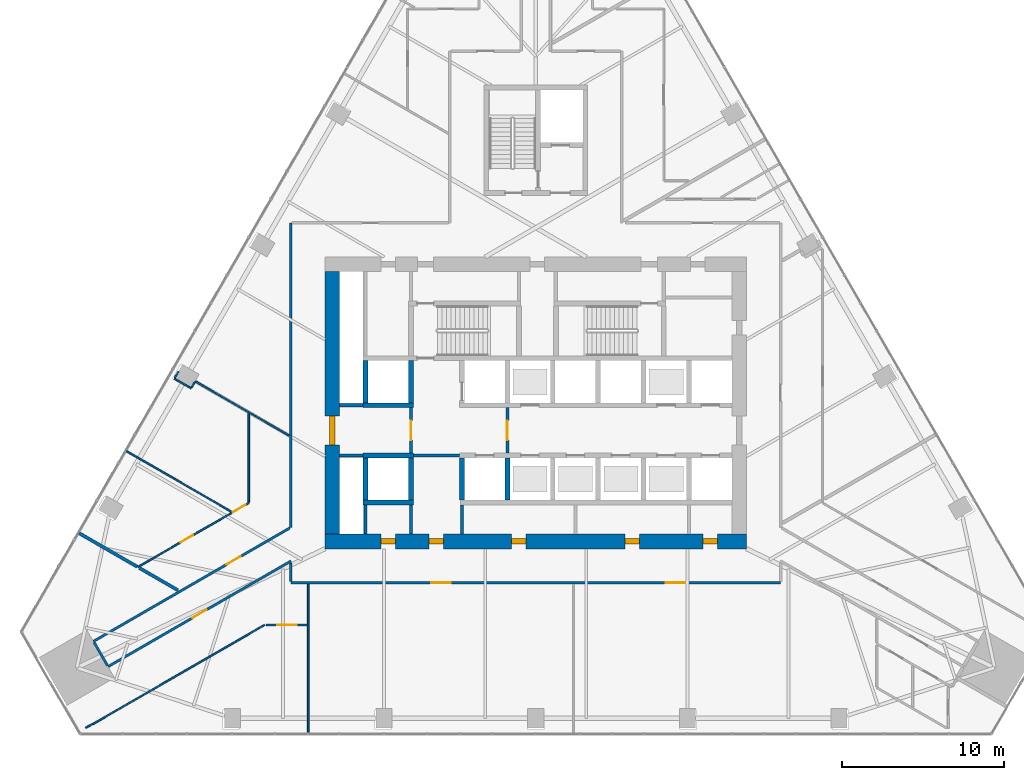
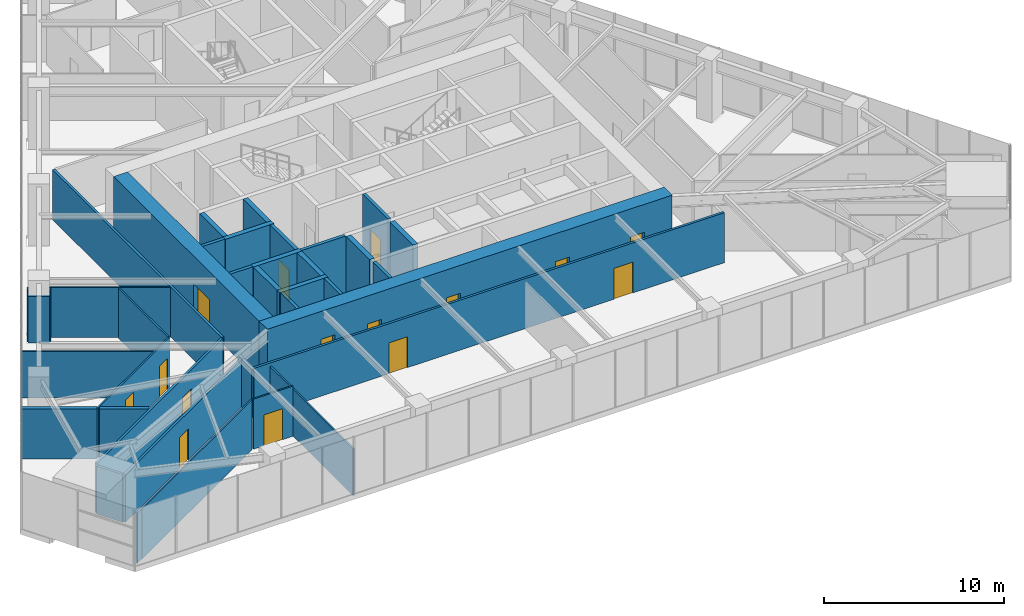
# One storey, part 13 of 19: 38 walls, 15 doors, 15 openings.
"""IFC4 building model written with IfcOpenShell, lengths in metres."""

from ifc_helpers import new_model, si_unit, direction, frame, frame_2d, origin, place, context, subcontext, project, spatial, rectangle, extrude, material, layer, layer_set, type_object, element, fill, save


model = new_model("IFC4")

# Units and contexts
model_context = context("Model", 3, precision=1e-05, world=origin(), true_north=direction((0.0, 1.0)))
body_context = subcontext(model_context, "Body", "Model", "MODEL_VIEW")
ifc_project = project(units=[si_unit("LENGTHUNIT", "METRE"), si_unit("AREAUNIT", "SQUARE_METRE"), si_unit("VOLUMEUNIT", "CUBIC_METRE"), si_unit("PLANEANGLEUNIT", "RADIAN"), si_unit("MASSUNIT", "GRAM", prefix="KILO")], contexts=[model_context])

# Site, building, storey
site_placement = place(None, origin())
site = spatial("IfcSite", under=ifc_project, at=site_placement, CompositionType="ELEMENT")
building_placement = place(site_placement, origin())
building = spatial("IfcBuilding", under=site, at=building_placement, Name="Firuza Gate Tower and Library", CompositionType="ELEMENT")
storey_placement = place(building_placement, frame((0.0, 0.0, 103.0)))
storey = spatial("IfcBuildingStorey", under=building, at=storey_placement, Name="L23", CompositionType="ELEMENT", Elevation=103.0)

# Walls
ifc_material_1 = material(Name="Plasterboard on steel studs", Category="steel")
ifc_layer_1 = layer(ifc_material_1, 0.199951171875)
ifc_layer_set_1 = layer_set([ifc_layer_1], Name="Core partition 200 EI 120")
wall_type_1 = type_object("IfcWallType", Name="Core partition 200 EI 120", PredefinedType="PARTITIONING", material=ifc_layer_set_1)
wall_1_placement = place(storey_placement, frame((62.89990234375, 71.75, 0.0), z_axis=(0.0, 0.0, 1.0), x_axis=(1.0, 0.0, 0.0)))
element("IfcWall", 1, at=wall_1_placement, inside=storey, type_object=wall_type_1, Name="Core partition L23 1", PredefinedType="PARTITIONING", context=body_context, shape_type="SweptSolid", body=[
    extrude(rectangle(XDim=1.4501953125, YDim=0.199951171875, at=frame_2d((0.72509765625, 0.0))), origin(), (0.0, 0.0, 1.0), 4.0),
])
wall_2_placement = place(storey_placement, frame((67.449951171875, 71.75, 0.0), z_axis=(0.0, 0.0, 1.0), x_axis=(1.0, 0.0, 0.0)))
element("IfcWall", 2, at=wall_2_placement, inside=storey, type_object=wall_type_1, Name="Core partition L23 2", PredefinedType="PARTITIONING", context=body_context, shape_type="SweptSolid", body=[
    extrude(rectangle(XDim=2.85009765625, YDim=0.199951171875, at=frame_2d((1.425048828125, 0.0))), origin(), (0.0, 0.0, 1.0), 4.0),
])
wall_3_placement = place(storey_placement, frame((62.89990234375, 74.85009765625, 0.0), z_axis=(0.0, 0.0, 1.0), x_axis=(1.0, 0.0, 0.0)))
element("IfcWall", 3, at=wall_3_placement, inside=storey, type_object=wall_type_1, Name="Core partition L23 3", PredefinedType="PARTITIONING", context=body_context, shape_type="SweptSolid", body=[
    extrude(rectangle(XDim=1.4501953125, YDim=0.199951171875, at=frame_2d((0.72509765625, 0.0))), origin(), (0.0, 0.0, 1.0), 4.0),
])
for number, where, z_axis, x_axis, name in (
    (4, (64.5, 66.89990234375, 0.0), (0.0, 0.0, 1.0), (0.0, 1.0, 0.0), "Core partition L23 5"),
    (5, (67.300048828125, 66.89990234375, 0.0), (0.0, 0.0, 1.0), (0.0, 1.0, 0.0), "Core partition L23 7"),
    (6, (70.449951171875, 66.89990234375, 0.0), (0.0, 0.0, 1.0), (0.0, 1.0, 0.0), "Core partition L23 10"),
):
    element("IfcWall", number, at=place(storey_placement, frame(where, z_axis=z_axis, x_axis=x_axis)), inside=storey, type_object=wall_type_1, Name=name, PredefinedType="PARTITIONING", context=body_context, shape_type="SweptSolid", body=[
        extrude(rectangle(XDim=1.800048828125, YDim=0.199951171875, at=frame_2d((0.89990234375, 0.0))), origin(), (0.0, 0.0, 1.0), 4.0),
    ])

# Wall, opening, door
ifc_material_2 = material(Name="Plasterboard on steel studs", Category="steel")
ifc_layer_2 = layer(ifc_material_2, 0.199951171875)
ifc_layer_set_2 = layer_set([ifc_layer_2], Name="Core partition 200 EI 60")
wall_type_2 = type_object("IfcWallType", Name="Core partition 200 EI 60", PredefinedType="PARTITIONING", material=ifc_layer_set_2)
wall_4_placement = place(storey_placement, frame((67.300048828125, 71.89990234375, 0.0), z_axis=(0.0, 0.0, 1.0), x_axis=(0.0, 1.0, 0.0)))
wall_4 = element("IfcWall", 7, at=wall_4_placement, inside=storey, type_object=wall_type_2, Name="Core partition L23 8", PredefinedType="PARTITIONING", context=body_context, shape_type="SweptSolid", body=[
    extrude(rectangle(XDim=2.800048828125, YDim=0.199951171875, at=frame_2d((1.39990234375, 0.0))), origin(), (0.0, 0.0, 1.0), 4.0),
])
opening_1_placement = place(wall_4_placement, frame((0.800048828125, 0.0, 0.0)))
opening_1 = element("IfcOpeningElement", 8, at=opening_1_placement, cuts=wall_4, Name="Opening L23-K21", PredefinedType="OPENING", context=body_context, shape_type="SweptSolid", body=[
    extrude(rectangle(XDim=1.199951171875, YDim=2.10009765625, at=frame_2d((0.60009765625, 1.050048828125))), frame((0.0, 0.10986328125, 0.0), z_axis=(0.0, -1.0, 0.0), x_axis=(1.0, 0.0, 0.0)), (0.0, 0.0, 1.0), 0.219970703125),
])
ifc_material_3 = material(Name="Steel", Category="steel")
door_type_1 = type_object("IfcDoorType", Name="Fire door 1200x2100 FD90S", OperationType="NOTDEFINED", PredefinedType="DOOR", material=ifc_material_3)
door_1_placement = place(opening_1_placement, origin())
door_1 = element("IfcDoor", 9, at=door_1_placement, inside=storey, type_object=door_type_1, Name="Door L23-K21", OperationType="SINGLE_SWING_RIGHT", OverallHeight=2.10009765625, OverallWidth=1.199951171875, PredefinedType="DOOR", context=body_context, shape_type="SweptSolid", body=[
    extrude(rectangle(XDim=1.199951171875, YDim=2.10009765625, at=frame_2d((0.60009765625, 1.050048828125))), frame((0.0, 0.02490234375, 0.0), z_axis=(0.0, -1.0, 0.0), x_axis=(1.0, 0.0, 0.0)), (0.0, 0.0, 1.0), 0.050048828125),
])
fill(opening_1, door_1)

wall_5_placement = place(storey_placement, frame((73.25, 71.89990234375, 0.0), z_axis=(0.0, 0.0, 1.0), x_axis=(0.0, 1.0, 0.0)))
wall_5 = element("IfcWall", 10, at=wall_5_placement, inside=storey, type_object=wall_type_2, Name="Core partition L23 11", PredefinedType="PARTITIONING", context=body_context, shape_type="SweptSolid", body=[
    extrude(rectangle(XDim=2.800048828125, YDim=0.199951171875, at=frame_2d((1.39990234375, 0.0))), origin(), (0.0, 0.0, 1.0), 4.0),
])
opening_2_placement = place(wall_5_placement, frame((0.800048828125, 0.0, 0.0)))
opening_2 = element("IfcOpeningElement", 11, at=opening_2_placement, cuts=wall_5, Name="Opening L23-K20", PredefinedType="OPENING", context=body_context, shape_type="SweptSolid", body=[
    extrude(rectangle(XDim=1.199951171875, YDim=2.10009765625, at=frame_2d((0.60009765625, 1.050048828125))), frame((0.0, 0.10986328125, 0.0), z_axis=(0.0, -1.0, 0.0), x_axis=(1.0, 0.0, 0.0)), (0.0, 0.0, 1.0), 0.219970703125),
])
door_2_placement = place(opening_2_placement, origin())
door_2 = element("IfcDoor", 12, at=door_2_placement, inside=storey, type_object=door_type_1, Name="Door L23-K20", OperationType="SINGLE_SWING_LEFT", OverallHeight=2.10009765625, OverallWidth=1.199951171875, PredefinedType="DOOR", context=body_context, shape_type="SweptSolid", body=[
    extrude(rectangle(XDim=1.199951171875, YDim=2.10009765625, at=frame_2d((0.60009765625, 1.050048828125))), frame((0.0, 0.02490234375, 0.0), z_axis=(0.0, -1.0, 0.0), x_axis=(1.0, 0.0, 0.0)), (0.0, 0.0, 1.0), 0.050048828125),
])
fill(opening_2, door_2)

# Walls
ifc_material_4 = material(Name="Concrete C80/95", Category="concrete")
ifc_layer_3 = layer(ifc_material_4, 0.300048828125)
ifc_layer_set_3 = layer_set([ifc_layer_3], Name="Core wall 300 C80/95")
wall_type_3 = type_object("IfcWallType", Name="Core wall 300 C80/95", PredefinedType="SHEAR", material=ifc_layer_set_3)
for number, where, z_axis, x_axis, name in (
    (13, (64.35009765625, 68.85009765625, 0.0), (0.0, 0.0, 1.0), (1.0, 0.0, 0.0), "Core wall L23 5"),
    (14, (64.35009765625, 71.75, 0.0), (0.0, 0.0, 1.0), (1.0, 0.0, 0.0), "Core wall L23 7"),
    (15, (64.35009765625, 74.85009765625, 0.0), (0.0, 0.0, 1.0), (1.0, 0.0, 0.0), "Core wall L23 9"),
):
    element("IfcWall", number, at=place(storey_placement, frame(where, z_axis=z_axis, x_axis=x_axis)), inside=storey, type_object=wall_type_3, Name=name, PredefinedType="SHEAR", context=body_context, shape_type="SweptSolid", body=[
        extrude(rectangle(XDim=3.099853515625, YDim=0.300048828125, at=frame_2d((1.5498046875, 0.0))), origin(), (0.0, 0.0, 1.0), 4.0),
    ])
for number, where, z_axis, x_axis, name in (
    (16, (64.5, 69.0, 0.0), (0.0, 0.0, 1.0), (0.0, 1.0, 0.0), "Core wall L23 11"),
    (17, (64.5, 75.0, 0.0), (0.0, 0.0, 1.0), (0.0, 1.0, 0.0), "Core wall L23 12"),
    (18, (67.300048828125, 69.0, 0.0), (0.0, 0.0, 1.0), (0.0, 1.0, 0.0), "Core wall L23 13"),
    (19, (67.300048828125, 75.0, 0.0), (0.0, 0.0, 1.0), (0.0, 1.0, 0.0), "Core wall L23 14"),
    (20, (70.449951171875, 69.0, 0.0), (0.0, 0.0, 1.0), (0.0, 1.0, 0.0), "Core wall L23 15"),
    (21, (73.25, 69.0, 0.0), (0.0, 0.0, 1.0), (0.0, 1.0, 0.0), "Core wall L23 17"),
):
    element("IfcWall", number, at=place(storey_placement, frame(where, z_axis=z_axis, x_axis=x_axis)), inside=storey, type_object=wall_type_3, Name=name, PredefinedType="SHEAR", context=body_context, shape_type="SweptSolid", body=[
        extrude(rectangle(XDim=2.60009765625, YDim=0.300048828125, at=frame_2d((1.300048828125, 0.0))), origin(), (0.0, 0.0, 1.0), 4.0),
    ])

# Wall, openings, doors
ifc_material_5 = material(Name="Concrete C80/95", Category="concrete")
ifc_layer_4 = layer(ifc_material_5, 0.89990234375)
ifc_layer_set_4 = layer_set([ifc_layer_4], Name="Core wall 900 C80/95")
wall_type_4 = type_object("IfcWallType", Name="Core wall 900 C80/95", PredefinedType="SHEAR", material=ifc_layer_set_4)
wall_6_placement = place(storey_placement, frame((62.0, 66.449951171875, 0.0), z_axis=(0.0, 0.0, 1.0), x_axis=(1.0, 0.0, 0.0)))
wall_6 = element("IfcWall", 22, at=wall_6_placement, inside=storey, type_object=wall_type_4, Name="Core wall L23 1", PredefinedType="SHEAR", context=body_context, shape_type="SweptSolid", body=[
    extrude(rectangle(XDim=26.0, YDim=0.89990234375, at=frame_2d((13.0, 0.0))), origin(), (0.0, 0.0, 1.0), 4.0),
])
opening_3_placement = place(wall_6_placement, frame((3.449951171875, 0.0, 0.0)))
opening_3 = element("IfcOpeningElement", 23, at=opening_3_placement, cuts=wall_6, Name="Opening L23-K24", PredefinedType="OPENING", context=body_context, shape_type="SweptSolid", body=[
    extrude(rectangle(XDim=0.89990234375, YDim=2.10009765625, at=frame_2d((0.449951171875, 1.050048828125))), frame((0.0, 0.4599609375, 0.0), z_axis=(0.0, -1.0, 0.0), x_axis=(1.0, 0.0, 0.0)), (0.0, 0.0, 1.0), 0.919921875),
])
opening_4_placement = place(wall_6_placement, frame((6.425048828125, 0.0, 0.0)))
opening_4 = element("IfcOpeningElement", 24, at=opening_4_placement, cuts=wall_6, Name="Opening L23-K25", PredefinedType="OPENING", context=body_context, shape_type="SweptSolid", body=[
    extrude(rectangle(XDim=0.89990234375, YDim=2.10009765625, at=frame_2d((0.449951171875, 1.050048828125))), frame((0.0, 0.4599609375, 0.0), z_axis=(0.0, -1.0, 0.0), x_axis=(1.0, 0.0, 0.0)), (0.0, 0.0, 1.0), 0.919921875),
])
opening_5_placement = place(wall_6_placement, frame((11.5, 0.0, 0.0)))
opening_5 = element("IfcOpeningElement", 25, at=opening_5_placement, cuts=wall_6, Name="Opening L23-K26", PredefinedType="OPENING", context=body_context, shape_type="SweptSolid", body=[
    extrude(rectangle(XDim=0.89990234375, YDim=2.10009765625, at=frame_2d((0.449951171875, 1.050048828125))), frame((0.0, 0.4599609375, 0.0), z_axis=(0.0, -1.0, 0.0), x_axis=(1.0, 0.0, 0.0)), (0.0, 0.0, 1.0), 0.919921875),
])
opening_6_placement = place(wall_6_placement, frame((18.5, 0.0, 0.0)))
opening_6 = element("IfcOpeningElement", 26, at=opening_6_placement, cuts=wall_6, Name="Opening L23-K27", PredefinedType="OPENING", context=body_context, shape_type="SweptSolid", body=[
    extrude(rectangle(XDim=0.89990234375, YDim=2.10009765625, at=frame_2d((0.449951171875, 1.050048828125))), frame((0.0, 0.4599609375, 0.0), z_axis=(0.0, -1.0, 0.0), x_axis=(1.0, 0.0, 0.0)), (0.0, 0.0, 1.0), 0.919921875),
])
opening_7_placement = place(wall_6_placement, frame((23.324951171875, 0.0, 0.0)))
opening_7 = element("IfcOpeningElement", 27, at=opening_7_placement, cuts=wall_6, Name="Opening L23-K28", PredefinedType="OPENING", context=body_context, shape_type="SweptSolid", body=[
    extrude(rectangle(XDim=0.89990234375, YDim=2.10009765625, at=frame_2d((0.449951171875, 1.050048828125))), frame((0.0, 0.4599609375, 0.0), z_axis=(0.0, -1.0, 0.0), x_axis=(1.0, 0.0, 0.0)), (0.0, 0.0, 1.0), 0.919921875),
])
ifc_material_6 = material(Name="Steel", Category="steel")
door_type_2 = type_object("IfcDoorType", Name="Fire door 900x2100 FD30S", OperationType="NOTDEFINED", PredefinedType="DOOR", material=ifc_material_6)
door_3_placement = place(opening_3_placement, origin())
door_3 = element("IfcDoor", 28, at=door_3_placement, inside=storey, type_object=door_type_2, Name="Door L23-K24", OperationType="SINGLE_SWING_LEFT", OverallHeight=2.10009765625, OverallWidth=0.89990234375, PredefinedType="DOOR", context=body_context, shape_type="SweptSolid", body=[
    extrude(rectangle(XDim=0.89990234375, YDim=2.10009765625, at=frame_2d((0.449951171875, 1.050048828125))), frame((0.0, 0.169921875, 0.0), z_axis=(0.0, -1.0, 0.0), x_axis=(1.0, 0.0, 0.0)), (0.0, 0.0, 1.0), 0.33984375),
])
fill(opening_3, door_3)
door_4_placement = place(opening_4_placement, origin())
door_4 = element("IfcDoor", 29, at=door_4_placement, inside=storey, type_object=door_type_2, Name="Door L23-K25", OperationType="SINGLE_SWING_RIGHT", OverallHeight=2.10009765625, OverallWidth=0.89990234375, PredefinedType="DOOR", context=body_context, shape_type="SweptSolid", body=[
    extrude(rectangle(XDim=0.89990234375, YDim=2.10009765625, at=frame_2d((0.449951171875, 1.050048828125))), frame((0.0, 0.169921875, 0.0), z_axis=(0.0, -1.0, 0.0), x_axis=(1.0, 0.0, 0.0)), (0.0, 0.0, 1.0), 0.33984375),
])
fill(opening_4, door_4)
door_5_placement = place(opening_5_placement, origin())
door_5 = element("IfcDoor", 30, at=door_5_placement, inside=storey, type_object=door_type_2, Name="Door L23-K26", OperationType="SINGLE_SWING_LEFT", OverallHeight=2.10009765625, OverallWidth=0.89990234375, PredefinedType="DOOR", context=body_context, shape_type="SweptSolid", body=[
    extrude(rectangle(XDim=0.89990234375, YDim=2.10009765625, at=frame_2d((0.449951171875, 1.050048828125))), frame((0.0, 0.169921875, 0.0), z_axis=(0.0, -1.0, 0.0), x_axis=(1.0, 0.0, 0.0)), (0.0, 0.0, 1.0), 0.33984375),
])
fill(opening_5, door_5)
door_6_placement = place(opening_6_placement, origin())
door_6 = element("IfcDoor", 31, at=door_6_placement, inside=storey, type_object=door_type_2, Name="Door L23-K27", OperationType="SINGLE_SWING_RIGHT", OverallHeight=2.10009765625, OverallWidth=0.89990234375, PredefinedType="DOOR", context=body_context, shape_type="SweptSolid", body=[
    extrude(rectangle(XDim=0.89990234375, YDim=2.10009765625, at=frame_2d((0.449951171875, 1.050048828125))), frame((0.0, 0.169921875, 0.0), z_axis=(0.0, -1.0, 0.0), x_axis=(1.0, 0.0, 0.0)), (0.0, 0.0, 1.0), 0.33984375),
])
fill(opening_6, door_6)
door_7_placement = place(opening_7_placement, origin())
door_7 = element("IfcDoor", 32, at=door_7_placement, inside=storey, type_object=door_type_2, Name="Door L23-K28", OperationType="SINGLE_SWING_LEFT", OverallHeight=2.10009765625, OverallWidth=0.89990234375, PredefinedType="DOOR", context=body_context, shape_type="SweptSolid", body=[
    extrude(rectangle(XDim=0.89990234375, YDim=2.10009765625, at=frame_2d((0.449951171875, 1.050048828125))), frame((0.0, 0.169921875, 0.0), z_axis=(0.0, -1.0, 0.0), x_axis=(1.0, 0.0, 0.0)), (0.0, 0.0, 1.0), 0.33984375),
])
fill(opening_7, door_7)

# Wall, opening, door
wall_7_placement = place(storey_placement, frame((62.449951171875, 66.89990234375, 0.0), z_axis=(0.0, 0.0, 1.0), x_axis=(0.0, 1.0, 0.0)))
wall_7 = element("IfcWall", 33, at=wall_7_placement, inside=storey, type_object=wall_type_4, Name="Core wall L23 3", PredefinedType="SHEAR", context=body_context, shape_type="SweptSolid", body=[
    extrude(rectangle(XDim=16.2001953125, YDim=0.89990234375, at=frame_2d((8.10009765625, 0.0))), origin(), (0.0, 0.0, 1.0), 4.0),
])
opening_8_placement = place(wall_7_placement, frame((5.5, 0.0, 0.0)))
opening_8 = element("IfcOpeningElement", 34, at=opening_8_placement, cuts=wall_7, Name="Opening L23-K22", PredefinedType="OPENING", context=body_context, shape_type="SweptSolid", body=[
    extrude(rectangle(XDim=1.800048828125, YDim=2.10009765625, at=frame_2d((0.89990234375, 1.050048828125))), frame((0.0, 0.4599609375, 0.0), z_axis=(0.0, -1.0, 0.0), x_axis=(1.0, 0.0, 0.0)), (0.0, 0.0, 1.0), 0.919921875),
])
ifc_material_7 = material(Name="Steel", Category="steel")
door_type_3 = type_object("IfcDoorType", Name="Fire door 1800x2100 FD30S", OperationType="NOTDEFINED", PredefinedType="DOOR", material=ifc_material_7)
door_8_placement = place(opening_8_placement, origin())
door_8 = element("IfcDoor", 35, at=door_8_placement, inside=storey, type_object=door_type_3, Name="Door L23-K22", OperationType="SINGLE_SWING_LEFT", OverallHeight=2.10009765625, OverallWidth=1.800048828125, PredefinedType="DOOR", context=body_context, shape_type="SweptSolid", body=[
    extrude(rectangle(XDim=1.800048828125, YDim=2.10009765625, at=frame_2d((0.89990234375, 1.050048828125))), frame((0.0, 0.169921875, 0.0), z_axis=(0.0, -1.0, 0.0), x_axis=(1.0, 0.0, 0.0)), (0.0, 0.0, 1.0), 0.33984375),
])
fill(opening_8, door_8)

# Wall, openings, doors
ifc_material_8 = material(Name="Gypsum board partition")
ifc_layer_5 = layer(ifc_material_8, 0.14990234375)
ifc_layer_set_5 = layer_set([ifc_layer_5], Name="Corridor wall 150 double board on steel studs")
wall_type_5 = type_object("IfcWallType", Name="Corridor wall 150 double board on steel studs", PredefinedType="PARTITIONING", material=ifc_layer_set_5)
wall_8_placement = place(storey_placement, frame((90.099365234375, 63.89990234375, 0.0), z_axis=(0.0, 0.0, 1.0), x_axis=(-1.0, 0.0, 0.0)))
wall_8 = element("IfcWall", 36, at=wall_8_placement, inside=storey, type_object=wall_type_5, Name="f:L23:w001", PredefinedType="PARTITIONING", context=body_context, shape_type="SweptSolid", body=[
    extrude(rectangle(XDim=30.19873046875, YDim=0.14990234375, at=frame_2d((15.099365234375, 0.0))), origin(), (0.0, 0.0, 1.0), 3.39990234375),
])
opening_9_placement = place(wall_8_placement, frame((5.882080078125, 0.0, 0.0)))
opening_9 = element("IfcOpeningElement", 37, at=opening_9_placement, cuts=wall_8, Name="Opening L23-02", PredefinedType="OPENING", context=body_context, shape_type="SweptSolid", body=[
    extrude(rectangle(XDim=1.199951171875, YDim=2.10009765625, at=frame_2d((0.60009765625, 1.050048828125))), frame((0.0, 0.0849609375, 0.0), z_axis=(0.0, -1.0, 0.0), x_axis=(1.0, 0.0, 0.0)), (0.0, 0.0, 1.0), 0.169921875),
])
opening_10_placement = place(wall_8_placement, frame((20.345947265625, 0.0, 0.0)))
opening_10 = element("IfcOpeningElement", 38, at=opening_10_placement, cuts=wall_8, Name="Opening L23-03", PredefinedType="OPENING", context=body_context, shape_type="SweptSolid", body=[
    extrude(rectangle(XDim=1.199951171875, YDim=2.10009765625, at=frame_2d((0.60009765625, 1.050048828125))), frame((0.0, 0.0849609375, 0.0), z_axis=(0.0, -1.0, 0.0), x_axis=(1.0, 0.0, 0.0)), (0.0, 0.0, 1.0), 0.169921875),
])
ifc_material_9 = material(Name="Steel door and timber leaf", Category="steel")
door_type_4 = type_object("IfcDoorType", Name="Fire door 1200 x 2100 steel frame, double leaf", OperationType="NOTDEFINED", PredefinedType="DOOR", material=ifc_material_9)
door_9_placement = place(opening_9_placement, origin())
door_9 = element("IfcDoor", 39, at=door_9_placement, inside=storey, type_object=door_type_4, Name="f:L23:d002", OperationType="DOUBLE_DOOR_SINGLE_SWING", OverallHeight=2.10009765625, OverallWidth=1.199951171875, PredefinedType="DOOR", context=body_context, shape_type="SweptSolid", body=[
    extrude(rectangle(XDim=1.199951171875, YDim=2.10009765625, at=frame_2d((0.60009765625, 1.050048828125))), frame((0.0, 0.02490234375, 0.0), z_axis=(0.0, -1.0, 0.0), x_axis=(1.0, 0.0, 0.0)), (0.0, 0.0, 1.0), 0.050048828125),
])
fill(opening_9, door_9)
door_10_placement = place(opening_10_placement, origin())
door_10 = element("IfcDoor", 40, at=door_10_placement, inside=storey, type_object=door_type_4, Name="f:L23:d003", OperationType="DOUBLE_DOOR_SINGLE_SWING", OverallHeight=2.10009765625, OverallWidth=1.199951171875, PredefinedType="DOOR", context=body_context, shape_type="SweptSolid", body=[
    extrude(rectangle(XDim=1.199951171875, YDim=2.10009765625, at=frame_2d((0.60009765625, 1.050048828125))), frame((0.0, 0.02490234375, 0.0), z_axis=(0.0, -1.0, 0.0), x_axis=(1.0, 0.0, 0.0)), (0.0, 0.0, 1.0), 0.050048828125),
])
fill(opening_10, door_10)

# Wall, opening, door
wall_9_placement = place(storey_placement, frame((48.618896484375, 58.729736328125, 0.0), z_axis=(0.0, 0.0, 1.0), x_axis=(0.866022351388, 0.500005286868, 0.0)))
wall_9 = element("IfcWall", 41, at=wall_9_placement, inside=storey, type_object=wall_type_5, Name="f:L23:w014", PredefinedType="PARTITIONING", context=body_context, shape_type="SweptSolid", body=[
    extrude(rectangle(XDim=13.026123046875, YDim=0.14990234375, at=frame_2d((6.51318359375, 0.0))), origin(), (0.0, 0.0, 1.0), 3.2470703125),
])
opening_11_placement = place(wall_9_placement, frame((6.01318359375, 0.0, 0.0)))
opening_11 = element("IfcOpeningElement", 42, at=opening_11_placement, cuts=wall_9, Name="Opening L23-11", PredefinedType="OPENING", context=body_context, shape_type="SweptSolid", body=[
    extrude(rectangle(XDim=1.0, YDim=2.10009765625, at=frame_2d((0.5, 1.050048828125))), frame((0.0, 0.0849609375, 0.0), z_axis=(0.0, -1.0, 0.0), x_axis=(1.0, 0.0, 0.0)), (0.0, 0.0, 1.0), 0.169921875),
])
ifc_material_10 = material(Name="Steel door and timber leaf", Category="steel")
door_type_5 = type_object("IfcDoorType", Name="Fire door 1000 x 2100 steel frame, timber leaf", OperationType="NOTDEFINED", PredefinedType="DOOR", material=ifc_material_10)
door_11_placement = place(opening_11_placement, origin())
door_11 = element("IfcDoor", 43, at=door_11_placement, inside=storey, type_object=door_type_5, Name="f:L23:d011", OperationType="SINGLE_SWING_RIGHT", OverallHeight=2.10009765625, OverallWidth=1.0, PredefinedType="DOOR", context=body_context, shape_type="SweptSolid", body=[
    extrude(rectangle(XDim=1.0, YDim=2.10009765625, at=frame_2d((0.5, 1.050048828125))), frame((0.0, 0.02490234375, 0.0), z_axis=(0.0, -1.0, 0.0), x_axis=(1.0, 0.0, 0.0)), (0.0, 0.0, 1.0), 0.050048828125),
])
fill(opening_11, door_11)

wall_10_placement = place(storey_placement, frame((47.71875, 60.28857421875, 0.0), z_axis=(0.0, 0.0, 1.0), x_axis=(0.866025916507, 0.499999111938, 0.0)))
wall_10 = element("IfcWall", 44, at=wall_10_placement, inside=storey, type_object=wall_type_5, Name="f:L23:w017", PredefinedType="PARTITIONING", context=body_context, shape_type="SweptSolid", body=[
    extrude(rectangle(XDim=13.97900390625, YDim=0.14990234375, at=frame_2d((6.989501953125, 0.0))), origin(), (0.0, 0.0, 1.0), 3.39990234375),
])
opening_12_placement = place(wall_10_placement, frame((9.46728515625, 0.0, 0.0)))
opening_12 = element("IfcOpeningElement", 45, at=opening_12_placement, cuts=wall_10, Name="Opening L23-12", PredefinedType="OPENING", context=body_context, shape_type="SweptSolid", body=[
    extrude(rectangle(XDim=1.0, YDim=2.10009765625, at=frame_2d((0.5, 1.050048828125))), frame((0.0, 0.0849609375, 0.0), z_axis=(0.0, -1.0, 0.0), x_axis=(1.0, 0.0, 0.0)), (0.0, 0.0, 1.0), 0.169921875),
])
door_12_placement = place(opening_12_placement, origin())
door_12 = element("IfcDoor", 46, at=door_12_placement, inside=storey, type_object=door_type_5, Name="f:L23:d012", OperationType="SINGLE_SWING_LEFT", OverallHeight=2.10009765625, OverallWidth=1.0, PredefinedType="DOOR", context=body_context, shape_type="SweptSolid", body=[
    extrude(rectangle(XDim=1.0, YDim=2.10009765625, at=frame_2d((0.5, 1.050048828125))), frame((0.0, 0.02490234375, 0.0), z_axis=(0.0, -1.0, 0.0), x_axis=(1.0, 0.0, 0.0)), (0.0, 0.0, 1.0), 0.050048828125),
])
fill(opening_12, door_12)

# Walls
wall_11_placement = place(storey_placement, frame((59.89990234375, 63.9755859375, 0.0), z_axis=(0.0, 0.0, 1.0), x_axis=(0.0, 1.0, 0.0)))
element("IfcWall", 47, at=wall_11_placement, inside=storey, type_object=wall_type_5, Name="f:L23:w047", PredefinedType="PARTITIONING", context=body_context, shape_type="SweptSolid", body=[
    extrude(rectangle(XDim=1.130615234375, YDim=0.14990234375, at=frame_2d((0.5654296875, 0.0))), origin(), (0.0, 0.0, 1.0), 3.2470703125),
])
wall_12_placement = place(storey_placement, frame((59.89990234375, 67.3212890625, 0.0), z_axis=(0.0, 0.0, 1.0), x_axis=(0.0, 1.0, 0.0)))
element("IfcWall", 48, at=wall_12_placement, inside=storey, type_object=wall_type_5, Name="f:L23:w048", PredefinedType="PARTITIONING", context=body_context, shape_type="SweptSolid", body=[
    extrude(rectangle(XDim=18.778076171875, YDim=0.14990234375, at=frame_2d((9.38916015625, 0.0))), origin(), (0.0, 0.0, 1.0), 3.39990234375),
])
wall_13_placement = place(storey_placement, frame((48.580322265625, 58.79443359375, 0.0), z_axis=(0.0, 0.0, 1.0), x_axis=(-0.499944585209, 0.866057395165, 0.0)))
element("IfcWall", 49, at=wall_13_placement, inside=storey, type_object=wall_type_5, Name="f:L23:w053", PredefinedType="PARTITIONING", context=body_context, shape_type="SweptSolid", body=[
    extrude(rectangle(XDim=1.649169921875, YDim=0.14990234375, at=frame_2d((0.82470703125, 0.0))), origin(), (0.0, 0.0, 1.0), 3.2470703125),
])
ifc_material_11 = material(Name="Gypsum board partition")
ifc_layer_6 = layer(ifc_material_11, 0.199951171875)
ifc_layer_set_6 = layer_set([ifc_layer_6], Name="Demising wall 200 acoustic double stud")
wall_type_6 = type_object("IfcWallType", Name="Demising wall 200 acoustic double stud", PredefinedType="PARTITIONING", material=ifc_layer_set_6)
wall_14_placement = place(storey_placement, frame((52.926025390625, 63.44140625, 0.0), z_axis=(0.0, 0.0, 1.0), x_axis=(-0.866019409031, 0.500010383074, 0.0)))
element("IfcWall", 50, at=wall_14_placement, inside=storey, type_object=wall_type_6, Name="f:L23:w067", PredefinedType="PARTITIONING", context=body_context, shape_type="SweptSolid", body=[
    extrude(rectangle(XDim=2.740234375, YDim=0.199951171875, at=frame_2d((1.3701171875, 0.0))), origin(), (0.0, 0.0, 1.0), 3.39990234375),
])
wall_15_placement = place(storey_placement, frame((50.41552734375, 64.89111328125, 0.0), z_axis=(0.0, 0.0, 1.0), x_axis=(-0.866054366634, 0.499949831517, 0.0)))
element("IfcWall", 51, at=wall_15_placement, inside=storey, type_object=wall_type_6, Name="f:L23:w071", PredefinedType="PARTITIONING", context=body_context, shape_type="SweptSolid", body=[
    extrude(rectangle(XDim=4.1826171875, YDim=0.199951171875, at=frame_2d((2.09130859375, 0.0))), origin(), (0.0, 0.0, 1.0), 3.39990234375),
])

# Wall, opening, door
ifc_material_12 = material(Name="Gypsum board partition")
ifc_layer_7 = layer(ifc_material_12, 0.10009765625)
ifc_layer_set_7 = layer_set([ifc_layer_7], Name="Partition 100 gypsum board on steel studs")
wall_type_7 = type_object("IfcWallType", Name="Partition 100 gypsum board on steel studs", PredefinedType="PARTITIONING", material=ifc_layer_set_7)
wall_16_placement = place(storey_placement, frame((60.918701171875, 61.300048828125, 0.0), z_axis=(0.0, 0.0, 1.0), x_axis=(-1.0, 0.0, 0.0)))
wall_16 = element("IfcWall", 52, at=wall_16_placement, inside=storey, type_object=wall_type_7, Name="f:L23:w000", PredefinedType="PARTITIONING", context=body_context, shape_type="SweptSolid", body=[
    extrude(rectangle(XDim=2.547607421875, YDim=0.10009765625, at=frame_2d((1.27392578125, 0.0))), origin(), (0.0, 0.0, 1.0), 3.39990234375),
])
opening_13_placement = place(wall_16_placement, frame((0.673828125, 0.0, 0.0)))
opening_13 = element("IfcOpeningElement", 53, at=opening_13_placement, cuts=wall_16, Name="Opening L23-01", PredefinedType="OPENING", context=body_context, shape_type="SweptSolid", body=[
    extrude(rectangle(XDim=1.199951171875, YDim=2.10009765625, at=frame_2d((0.60009765625, 1.050048828125))), frame((0.0, 0.06005859375, 0.0), z_axis=(0.0, -1.0, 0.0), x_axis=(1.0, 0.0, 0.0)), (0.0, 0.0, 1.0), 0.1201171875),
])
ifc_material_13 = material(Name="Glazed aluminium door", Category="aluminium")
door_type_6 = type_object("IfcDoorType", Name="Door 1200 x 2100 glazed double leaf", OperationType="NOTDEFINED", PredefinedType="DOOR", material=ifc_material_13)
door_13_placement = place(opening_13_placement, origin())
door_13 = element("IfcDoor", 54, at=door_13_placement, inside=storey, type_object=door_type_6, Name="f:L23:d001", OperationType="DOUBLE_DOOR_SINGLE_SWING", OverallHeight=2.10009765625, OverallWidth=1.199951171875, PredefinedType="DOOR", context=body_context, shape_type="SweptSolid", body=[
    extrude(rectangle(XDim=1.199951171875, YDim=2.10009765625, at=frame_2d((0.60009765625, 1.050048828125))), frame((0.0, 0.02490234375, 0.0), z_axis=(0.0, -1.0, 0.0), x_axis=(1.0, 0.0, 0.0)), (0.0, 0.0, 1.0), 0.050048828125),
])
fill(opening_13, door_13)

# Walls
wall_17_placement = place(storey_placement, frame((47.666748046875, 55.177734375, 0.0), z_axis=(0.0, 0.0, 1.0), x_axis=(0.866022223021, 0.500005509203, 0.0)))
element("IfcWall", 55, at=wall_17_placement, inside=storey, type_object=wall_type_7, Name="f:L23:w012", PredefinedType="PARTITIONING", context=body_context, shape_type="SweptSolid", body=[
    extrude(rectangle(XDim=12.244384765625, YDim=0.10009765625, at=frame_2d((6.1220703125, 0.0))), origin(), (0.0, 0.0, 1.0), 3.39990234375),
])
wall_18_placement = place(storey_placement, frame((47.24755859375, 54.957763671875, 0.0), z_axis=(0.0, 0.0, 1.0), x_axis=(0.865944638795, 0.50013986298, 0.0)))
element("IfcWall", 56, at=wall_18_placement, inside=storey, type_object=wall_type_7, Name="f:L23:w013", PredefinedType="PARTITIONING", context=body_context, shape_type="SweptSolid", body=[
    extrude(rectangle(XDim=0.472412109375, YDim=0.10009765625, at=frame_2d((0.236328125, 0.0))), origin(), (0.0, 0.0, 1.0), 3.39990234375),
])

# Wall, openings, doors
wall_19_placement = place(storey_placement, frame((57.300048828125, 68.822509765625, 0.0), z_axis=(0.0, 0.0, 1.0), x_axis=(-0.866030292833, -0.499991531824, 0.0)))
wall_19 = element("IfcWall", 57, at=wall_19_placement, inside=storey, type_object=wall_type_7, Name="f:L23:w018", PredefinedType="PARTITIONING", context=body_context, shape_type="SweptSolid", body=[
    extrude(rectangle(XDim=7.906494140625, YDim=0.10009765625, at=frame_2d((3.953125, 0.0))), origin(), (0.0, 0.0, 1.0), 3.39990234375),
])
opening_14_placement = place(wall_19_placement, frame((0.2294921875, 0.0, 0.0)))
opening_14 = element("IfcOpeningElement", 58, at=opening_14_placement, cuts=wall_19, Name="Opening L23-13", PredefinedType="OPENING", context=body_context, shape_type="SweptSolid", body=[
    extrude(rectangle(XDim=0.89990234375, YDim=2.10009765625, at=frame_2d((0.449951171875, 1.050048828125))), frame((0.0, 0.06005859375, 0.0), z_axis=(0.0, -1.0, 0.0), x_axis=(1.0, 0.0, 0.0)), (0.0, 0.0, 1.0), 0.1201171875),
])
opening_15_placement = place(wall_19_placement, frame((3.979248046875, 0.0, 0.0)))
opening_15 = element("IfcOpeningElement", 59, at=opening_15_placement, cuts=wall_19, Name="Opening L23-14", PredefinedType="OPENING", context=body_context, shape_type="SweptSolid", body=[
    extrude(rectangle(XDim=0.89990234375, YDim=2.10009765625, at=frame_2d((0.449951171875, 1.050048828125))), frame((0.0, 0.06005859375, 0.0), z_axis=(0.0, -1.0, 0.0), x_axis=(1.0, 0.0, 0.0)), (0.0, 0.0, 1.0), 0.1201171875),
])
ifc_material_14 = material(Name="Timber door", Category="wood")
door_type_7 = type_object("IfcDoorType", Name="Door 900 x 2100 timber leaf", OperationType="NOTDEFINED", PredefinedType="DOOR", material=ifc_material_14)
door_14_placement = place(opening_14_placement, origin())
door_14 = element("IfcDoor", 60, at=door_14_placement, inside=storey, type_object=door_type_7, Name="f:L23:d013", OperationType="SINGLE_SWING_LEFT", OverallHeight=2.10009765625, OverallWidth=0.89990234375, PredefinedType="DOOR", context=body_context, shape_type="SweptSolid", body=[
    extrude(rectangle(XDim=0.89990234375, YDim=2.10009765625, at=frame_2d((0.449951171875, 1.050048828125))), frame((0.0, 0.02490234375, 0.0), z_axis=(0.0, -1.0, 0.0), x_axis=(1.0, 0.0, 0.0)), (0.0, 0.0, 1.0), 0.050048828125),
])
fill(opening_14, door_14)
door_15_placement = place(opening_15_placement, origin())
door_15 = element("IfcDoor", 61, at=door_15_placement, inside=storey, type_object=door_type_7, Name="f:L23:d014", OperationType="SINGLE_SWING_RIGHT", OverallHeight=2.10009765625, OverallWidth=0.89990234375, PredefinedType="DOOR", context=body_context, shape_type="SweptSolid", body=[
    extrude(rectangle(XDim=0.89990234375, YDim=2.10009765625, at=frame_2d((0.449951171875, 1.050048828125))), frame((0.0, 0.02490234375, 0.0), z_axis=(0.0, -1.0, 0.0), x_axis=(1.0, 0.0, 0.0)), (0.0, 0.0, 1.0), 0.050048828125),
])
fill(opening_15, door_15)

# Walls
wall_20_placement = place(storey_placement, frame((53.7705078125, 75.947509765625, 0.0), z_axis=(0.0, 0.0, 1.0), x_axis=(0.500246304613, 0.865883153041, 0.0)))
element("IfcWall", 62, at=wall_20_placement, inside=storey, type_object=wall_type_7, Name="f:L23:w026", PredefinedType="PARTITIONING", context=body_context, shape_type="SweptSolid", body=[
    extrude(rectangle(XDim=0.389892578125, YDim=0.10009765625, at=frame_2d((0.19482421875, 0.0))), origin(), (0.0, 0.0, 1.0), 3.39990234375),
])
wall_21_placement = place(storey_placement, frame((52.72998046875, 76.544921875, 0.0), z_axis=(0.0, 0.0, 1.0), x_axis=(0.49999285859, 0.86602952684, 0.0)))
element("IfcWall", 63, at=wall_21_placement, inside=storey, type_object=wall_type_7, Name="f:L23:w027", PredefinedType="PARTITIONING", context=body_context, shape_type="SweptSolid", body=[
    extrude(rectangle(XDim=0.44287109375, YDim=0.10009765625, at=frame_2d((0.221435546875, 0.0))), origin(), (0.0, 0.0, 1.0), 3.39990234375),
])
wall_22_placement = place(storey_placement, frame((60.968994140625, 54.5810546875, 0.0), z_axis=(0.0, 0.0, 1.0), x_axis=(0.0, 1.0, 0.0)))
element("IfcWall", 64, at=wall_22_placement, inside=storey, type_object=wall_type_7, Name="f:L23:w046", PredefinedType="PARTITIONING", context=body_context, shape_type="SweptSolid", body=[
    extrude(rectangle(XDim=9.243896484375, YDim=0.10009765625, at=frame_2d((4.6220703125, 0.0))), origin(), (0.0, 0.0, 1.0), 3.1650390625),
])
wall_23_placement = place(storey_placement, frame((57.300048828125, 68.880126953125, 0.0), z_axis=(0.0, 0.0, 1.0), x_axis=(0.0, 1.0, 0.0)))
element("IfcWall", 65, at=wall_23_placement, inside=storey, type_object=wall_type_7, Name="f:L23:w049", PredefinedType="PARTITIONING", context=body_context, shape_type="SweptSolid", body=[
    extrude(rectangle(XDim=5.449951171875, YDim=0.10009765625, at=frame_2d((2.72509765625, 0.0))), origin(), (0.0, 0.0, 1.0), 3.39990234375),
])
wall_24_placement = place(storey_placement, frame((59.799072265625, 72.975341796875, 0.0), z_axis=(0.0, 0.0, 1.0), x_axis=(-0.866037071789, 0.499979789879, 0.0)))
element("IfcWall", 66, at=wall_24_placement, inside=storey, type_object=wall_type_7, Name="f:L23:w064", PredefinedType="PARTITIONING", context=body_context, shape_type="SweptSolid", body=[
    extrude(rectangle(XDim=6.706787109375, YDim=0.10009765625, at=frame_2d((3.353515625, 0.0))), origin(), (0.0, 0.0, 1.0), 3.39990234375),
])
wall_25_placement = place(storey_placement, frame((53.74072265625, 75.895751953125, 0.0), z_axis=(0.0, 0.0, 1.0), x_axis=(-0.866094119867, 0.499880961361, 0.0)))
element("IfcWall", 67, at=wall_25_placement, inside=storey, type_object=wall_type_7, Name="f:L23:w065", PredefinedType="PARTITIONING", context=body_context, shape_type="SweptSolid", body=[
    extrude(rectangle(XDim=1.199951171875, YDim=0.10009765625, at=frame_2d((0.60009765625, 0.0))), origin(), (0.0, 0.0, 1.0), 3.1650390625),
])
wall_26_placement = place(storey_placement, frame((56.22314453125, 68.288330078125, 0.0), z_axis=(0.0, 0.0, 1.0), x_axis=(-0.866018922649, 0.500011225488, 0.0)))
element("IfcWall", 68, at=wall_26_placement, inside=storey, type_object=wall_type_7, Name="f:L23:w066", PredefinedType="PARTITIONING", context=body_context, shape_type="SweptSolid", body=[
    extrude(rectangle(XDim=7.513427734375, YDim=0.10009765625, at=frame_2d((3.7568359375, 0.0))), origin(), (0.0, 0.0, 1.0), 3.1650390625),
])

save(model, "model.ifc")
